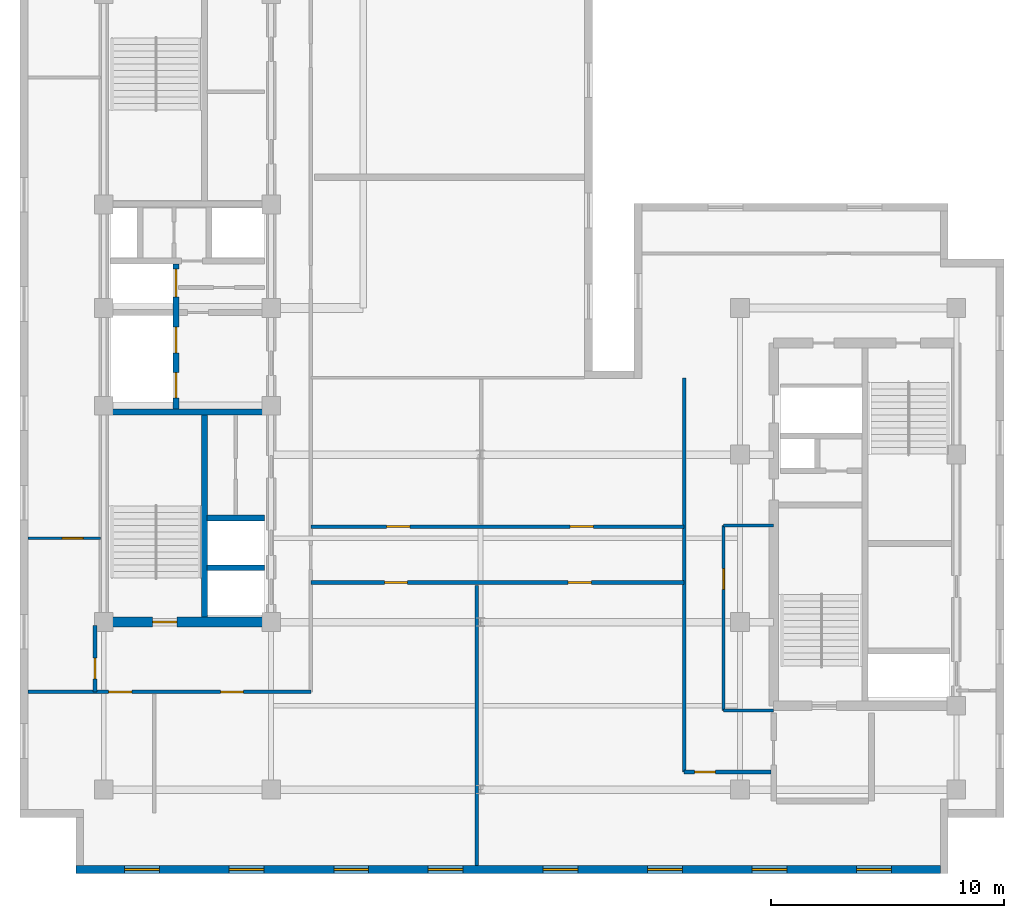
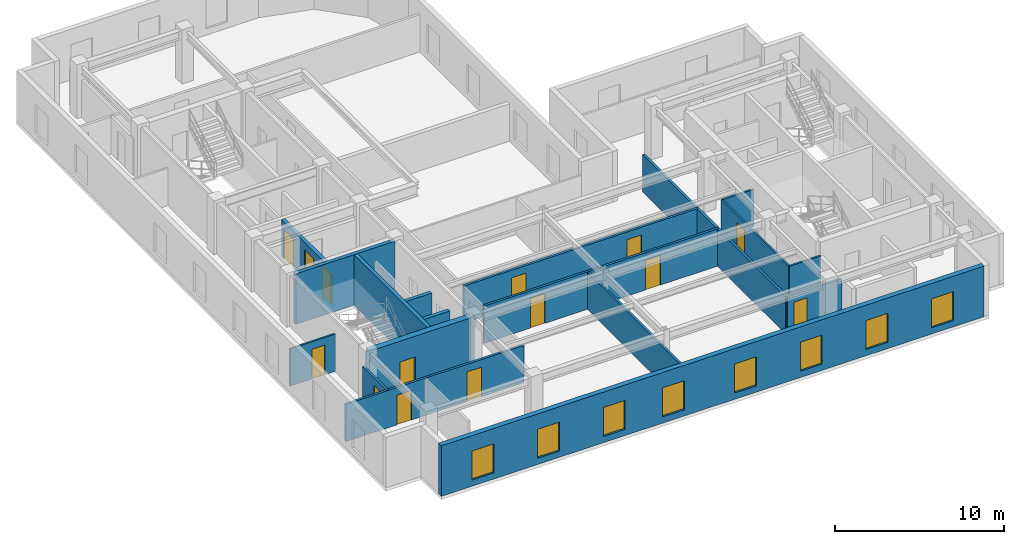
# One storey, part 3 of 9: 18 walls, 14 doors, 8 windows, 22 openings.
"""IFC4 building model written with IfcOpenShell, lengths in metres."""

from ifc_helpers import new_model, entity, si_unit, converted_unit, direction, frame, origin_with_axes, origin_2d_with_axis, place, context, subcontext, project, spatial, polyline, rectangle, outline, extrude, material, layer, layer_set, type_object, element, fill, save


model = new_model("IFC4")

# Units and contexts
model_context = context("Model", 3, precision=1e-05, world=origin_with_axes(), true_north=direction((0.0, 1.0)))
body_context = subcontext(model_context, "Body", "Model", "MODEL_VIEW")
ifc_project = project(units=[si_unit("LENGTHUNIT", "METRE"), si_unit("AREAUNIT", "SQUARE_METRE"), si_unit("VOLUMEUNIT", "CUBIC_METRE"), converted_unit("PLANEANGLEUNIT", "DEGREE", entity("IfcPlaneAngleMeasure", 0.017453292519943295), si_unit("PLANEANGLEUNIT", "RADIAN"), dimensions=[0, 0, 0, 0, 0, 0, 0]), si_unit("MASSUNIT", "GRAM", prefix="KILO"), si_unit("THERMODYNAMICTEMPERATUREUNIT", "KELVIN")], contexts=[model_context])

# Site, building, storey
site_placement = place(None, origin_with_axes())
site = spatial("IfcSite", under=ifc_project, at=site_placement, CompositionType="ELEMENT")
building_placement = place(site_placement, origin_with_axes())
building = spatial("IfcBuilding", under=site, at=building_placement, Name="Varnlund Millrace Tower", CompositionType="ELEMENT")
storey_placement = place(building_placement, frame((0.0, 0.0, 252.9), z_axis=(0.0, 0.0, 1.0), x_axis=(1.0, 0.0, 0.0)))
storey = spatial("IfcBuildingStorey", under=building, at=storey_placement, Name="L62", CompositionType="ELEMENT", Elevation=252.9)

# Wall, opening, door
ifc_material_1 = material(Name="Concrete C60/75", Category="concrete")
ifc_layer_1 = layer(ifc_material_1, 0.42, Name="Concrete C60/75")
ifc_layer_set_1 = layer_set([ifc_layer_1], Name="Concrete C60/75")
wall_type_1 = type_object("IfcWallType", Name="Type-CoreWall-Shear-420-C60", PredefinedType="SHEAR", material=ifc_layer_set_1)
wall_1_placement = place(storey_placement, frame((11.4, 10.8, 0.0), z_axis=(0.0, 0.0, 1.0), x_axis=(1.0, 0.0, 0.0)))
wall_1 = element("IfcWall", 1, at=wall_1_placement, inside=storey, type_object=wall_type_1, Name="Type-CoreWall-Shear-420-C60", PredefinedType="SHEAR", context=body_context, shape_type="SweptSolid", body=[
    extrude(outline(polyline([(0.0, -0.21), (7.2, -0.21), (7.2, 0.21), (0.0, 0.21), (0.0, -0.21)])), origin_with_axes(), (0.0, 0.0, 1.0), 3.66),
])
opening_1_placement = place(wall_1_placement, frame((2.625, 0.0, 0.0), z_axis=(0.0, 0.0, 1.0), x_axis=(1.0, 0.0, 0.0)))
opening_1 = element("IfcOpeningElement", 2, at=opening_1_placement, cuts=wall_1, Name="Opening L62:DR-STA1", PredefinedType="OPENING", context=body_context, shape_type="SweptSolid", body=[
    extrude(rectangle(XDim=1.05, YDim=0.44, at=origin_2d_with_axis()), origin_with_axes(), (0.0, 0.0, 1.0), 2.15),
])
ifc_material_2 = material(Name="Fire-rated hollow steel door", Category="steel")
door_type_1 = type_object("IfcDoorType", Name="Type-FireDoor-Stair-1050X2150", OperationType="NOTDEFINED", PredefinedType="DOOR", material=ifc_material_2)
door_1_placement = place(wall_1_placement, frame((2.625, 0.0, 0.0), z_axis=(0.0, 0.0, 1.0), x_axis=(1.0, 0.0, 0.0)))
door_1 = element("IfcDoor", 3, at=door_1_placement, inside=storey, type_object=door_type_1, Name="Type-FireDoor-Stair-1050X2150", OperationType="SINGLE_SWING_LEFT", OverallHeight=2.15, OverallWidth=1.05, PredefinedType="DOOR", context=body_context, shape_type="SweptSolid", body=[
    extrude(rectangle(XDim=1.05, YDim=0.09, at=origin_2d_with_axis()), origin_with_axes(), (0.0, 0.0, 1.0), 2.15),
])
fill(opening_1, door_1)

# Wall, openings, windows
ifc_material_3 = material(Name="Precast concrete C50/60", Category="concrete")
ifc_layer_2 = layer(ifc_material_3, 0.34, Name="Precast concrete C50/60")
ifc_layer_set_2 = layer_set([ifc_layer_2], Name="Precast concrete C50/60")
wall_type_2 = type_object("IfcWallType", Name="Type-ExtWall-Precast-Upper-340", PredefinedType="SOLIDWALL", material=ifc_layer_set_2)
wall_2_placement = place(storey_placement, frame((47.36, 0.17, 0.0), z_axis=(0.0, 0.0, 1.0), x_axis=(-1.0, 0.0, 0.0)))
wall_2 = element("IfcWall", 4, at=wall_2_placement, inside=storey, type_object=wall_type_2, Name="Type-ExtWall-Precast-Upper-340", PredefinedType="SOLIDWALL", context=body_context, shape_type="SweptSolid", body=[
    extrude(outline(polyline([(0.0, -0.17), (37.16, -0.17), (37.16, 0.17), (0.0, 0.17), (0.0, -0.17)])), origin_with_axes(), (0.0, 0.0, 1.0), 3.66),
])
opening_2_placement = place(wall_2_placement, frame((2.847, 0.0, 0.45), z_axis=(0.0, 0.0, 1.0), x_axis=(1.0, 0.0, 0.0)))
opening_2 = element("IfcOpeningElement", 5, at=opening_2_placement, cuts=wall_2, Name="Opening L62:WN-09", PredefinedType="OPENING", context=body_context, shape_type="SweptSolid", body=[
    extrude(rectangle(XDim=1.5, YDim=0.36, at=origin_2d_with_axis()), origin_with_axes(), (0.0, 0.0, 1.0), 2.1),
])
opening_3_placement = place(wall_2_placement, frame((7.342, 0.0, 0.45), z_axis=(0.0, 0.0, 1.0), x_axis=(1.0, 0.0, 0.0)))
opening_3 = element("IfcOpeningElement", 6, at=opening_3_placement, cuts=wall_2, Name="Opening L62:WN-10", PredefinedType="OPENING", context=body_context, shape_type="SweptSolid", body=[
    extrude(rectangle(XDim=1.5, YDim=0.36, at=origin_2d_with_axis()), origin_with_axes(), (0.0, 0.0, 1.0), 2.1),
])
opening_4_placement = place(wall_2_placement, frame((11.837, 0.0, 0.45), z_axis=(0.0, 0.0, 1.0), x_axis=(1.0, 0.0, 0.0)))
opening_4 = element("IfcOpeningElement", 7, at=opening_4_placement, cuts=wall_2, Name="Opening L62:WN-11", PredefinedType="OPENING", context=body_context, shape_type="SweptSolid", body=[
    extrude(rectangle(XDim=1.5, YDim=0.36, at=origin_2d_with_axis()), origin_with_axes(), (0.0, 0.0, 1.0), 2.1),
])
opening_5_placement = place(wall_2_placement, frame((16.332, 0.0, 0.45), z_axis=(0.0, 0.0, 1.0), x_axis=(1.0, 0.0, 0.0)))
opening_5 = element("IfcOpeningElement", 8, at=opening_5_placement, cuts=wall_2, Name="Opening L62:WN-12", PredefinedType="OPENING", context=body_context, shape_type="SweptSolid", body=[
    extrude(rectangle(XDim=1.5, YDim=0.36, at=origin_2d_with_axis()), origin_with_axes(), (0.0, 0.0, 1.0), 2.1),
])
opening_6_placement = place(wall_2_placement, frame((21.277, 0.0, 0.45), z_axis=(0.0, 0.0, 1.0), x_axis=(1.0, 0.0, 0.0)))
opening_6 = element("IfcOpeningElement", 9, at=opening_6_placement, cuts=wall_2, Name="Opening L62:WN-13", PredefinedType="OPENING", context=body_context, shape_type="SweptSolid", body=[
    extrude(rectangle(XDim=1.5, YDim=0.36, at=origin_2d_with_axis()), origin_with_axes(), (0.0, 0.0, 1.0), 2.1),
])
opening_7_placement = place(wall_2_placement, frame((25.322, 0.0, 0.45), z_axis=(0.0, 0.0, 1.0), x_axis=(1.0, 0.0, 0.0)))
opening_7 = element("IfcOpeningElement", 10, at=opening_7_placement, cuts=wall_2, Name="Opening L62:WN-14", PredefinedType="OPENING", context=body_context, shape_type="SweptSolid", body=[
    extrude(rectangle(XDim=1.5, YDim=0.36, at=origin_2d_with_axis()), origin_with_axes(), (0.0, 0.0, 1.0), 2.1),
])
opening_8_placement = place(wall_2_placement, frame((29.817, 0.0, 0.45), z_axis=(0.0, 0.0, 1.0), x_axis=(1.0, 0.0, 0.0)))
opening_8 = element("IfcOpeningElement", 11, at=opening_8_placement, cuts=wall_2, Name="Opening L62:WN-15", PredefinedType="OPENING", context=body_context, shape_type="SweptSolid", body=[
    extrude(rectangle(XDim=1.5, YDim=0.36, at=origin_2d_with_axis()), origin_with_axes(), (0.0, 0.0, 1.0), 2.1),
])
opening_9_placement = place(wall_2_placement, frame((34.312, 0.0, 0.45), z_axis=(0.0, 0.0, 1.0), x_axis=(1.0, 0.0, 0.0)))
opening_9 = element("IfcOpeningElement", 12, at=opening_9_placement, cuts=wall_2, Name="Opening L62:WN-16", PredefinedType="OPENING", context=body_context, shape_type="SweptSolid", body=[
    extrude(rectangle(XDim=1.5, YDim=0.36, at=origin_2d_with_axis()), origin_with_axes(), (0.0, 0.0, 1.0), 2.1),
])
ifc_material_4 = material(Name="Argon low-e triple glazing in thermally broken bronze frame", Category="glass")
window_type = type_object("IfcWindowType", Name="Type-Window-Punched-1500X2100", PartitioningType="SINGLE_PANEL", PredefinedType="WINDOW", material=ifc_material_4)
window_1_placement = place(wall_2_placement, frame((2.847, 0.0, 0.45), z_axis=(0.0, 0.0, 1.0), x_axis=(1.0, 0.0, 0.0)))
window_1 = element("IfcWindow", 13, at=window_1_placement, inside=storey, type_object=window_type, Name="Type-Window-Punched-1500X2100", OverallHeight=2.1, OverallWidth=1.5, PredefinedType="WINDOW", context=body_context, shape_type="SweptSolid", body=[
    extrude(rectangle(XDim=1.5, YDim=0.09, at=origin_2d_with_axis()), origin_with_axes(), (0.0, 0.0, 1.0), 2.1),
])
fill(opening_2, window_1)
window_2_placement = place(wall_2_placement, frame((7.342, 0.0, 0.45), z_axis=(0.0, 0.0, 1.0), x_axis=(1.0, 0.0, 0.0)))
window_2 = element("IfcWindow", 14, at=window_2_placement, inside=storey, type_object=window_type, Name="Type-Window-Punched-1500X2100", OverallHeight=2.1, OverallWidth=1.5, PredefinedType="WINDOW", context=body_context, shape_type="SweptSolid", body=[
    extrude(rectangle(XDim=1.5, YDim=0.09, at=origin_2d_with_axis()), origin_with_axes(), (0.0, 0.0, 1.0), 2.1),
])
fill(opening_3, window_2)
window_3_placement = place(wall_2_placement, frame((11.837, 0.0, 0.45), z_axis=(0.0, 0.0, 1.0), x_axis=(1.0, 0.0, 0.0)))
window_3 = element("IfcWindow", 15, at=window_3_placement, inside=storey, type_object=window_type, Name="Type-Window-Punched-1500X2100", OverallHeight=2.1, OverallWidth=1.5, PredefinedType="WINDOW", context=body_context, shape_type="SweptSolid", body=[
    extrude(rectangle(XDim=1.5, YDim=0.09, at=origin_2d_with_axis()), origin_with_axes(), (0.0, 0.0, 1.0), 2.1),
])
fill(opening_4, window_3)
window_4_placement = place(wall_2_placement, frame((16.332, 0.0, 0.45), z_axis=(0.0, 0.0, 1.0), x_axis=(1.0, 0.0, 0.0)))
window_4 = element("IfcWindow", 16, at=window_4_placement, inside=storey, type_object=window_type, Name="Type-Window-Punched-1500X2100", OverallHeight=2.1, OverallWidth=1.5, PredefinedType="WINDOW", context=body_context, shape_type="SweptSolid", body=[
    extrude(rectangle(XDim=1.5, YDim=0.09, at=origin_2d_with_axis()), origin_with_axes(), (0.0, 0.0, 1.0), 2.1),
])
fill(opening_5, window_4)
window_5_placement = place(wall_2_placement, frame((21.277, 0.0, 0.45), z_axis=(0.0, 0.0, 1.0), x_axis=(1.0, 0.0, 0.0)))
window_5 = element("IfcWindow", 17, at=window_5_placement, inside=storey, type_object=window_type, Name="Type-Window-Punched-1500X2100", OverallHeight=2.1, OverallWidth=1.5, PredefinedType="WINDOW", context=body_context, shape_type="SweptSolid", body=[
    extrude(rectangle(XDim=1.5, YDim=0.09, at=origin_2d_with_axis()), origin_with_axes(), (0.0, 0.0, 1.0), 2.1),
])
fill(opening_6, window_5)
window_6_placement = place(wall_2_placement, frame((25.322, 0.0, 0.45), z_axis=(0.0, 0.0, 1.0), x_axis=(1.0, 0.0, 0.0)))
window_6 = element("IfcWindow", 18, at=window_6_placement, inside=storey, type_object=window_type, Name="Type-Window-Punched-1500X2100", OverallHeight=2.1, OverallWidth=1.5, PredefinedType="WINDOW", context=body_context, shape_type="SweptSolid", body=[
    extrude(rectangle(XDim=1.5, YDim=0.09, at=origin_2d_with_axis()), origin_with_axes(), (0.0, 0.0, 1.0), 2.1),
])
fill(opening_7, window_6)
window_7_placement = place(wall_2_placement, frame((29.817, 0.0, 0.45), z_axis=(0.0, 0.0, 1.0), x_axis=(1.0, 0.0, 0.0)))
window_7 = element("IfcWindow", 19, at=window_7_placement, inside=storey, type_object=window_type, Name="Type-Window-Punched-1500X2100", OverallHeight=2.1, OverallWidth=1.5, PredefinedType="WINDOW", context=body_context, shape_type="SweptSolid", body=[
    extrude(rectangle(XDim=1.5, YDim=0.09, at=origin_2d_with_axis()), origin_with_axes(), (0.0, 0.0, 1.0), 2.1),
])
fill(opening_8, window_7)
window_8_placement = place(wall_2_placement, frame((34.312, 0.0, 0.45), z_axis=(0.0, 0.0, 1.0), x_axis=(1.0, 0.0, 0.0)))
window_8 = element("IfcWindow", 20, at=window_8_placement, inside=storey, type_object=window_type, Name="Type-Window-Punched-1500X2100", OverallHeight=2.1, OverallWidth=1.5, PredefinedType="WINDOW", context=body_context, shape_type="SweptSolid", body=[
    extrude(rectangle(XDim=1.5, YDim=0.09, at=origin_2d_with_axis()), origin_with_axes(), (0.0, 0.0, 1.0), 2.1),
])
fill(opening_9, window_8)

# Wall, openings, doors
ifc_material_5 = material(Name="Fire-rated gypsum board on cold-formed steel framing", Category="steel")
ifc_layer_3 = layer(ifc_material_5, 0.16, Name="Fire-rated gypsum board on cold-formed steel framing")
ifc_layer_set_3 = layer_set([ifc_layer_3], Name="Fire-rated gypsum board on cold-formed steel framing")
wall_type_3 = type_object("IfcWallType", Name="Type-Partition-Corridor-160", PredefinedType="PARTITIONING", material=ifc_layer_set_3)
wall_3_placement = place(storey_placement, frame((8.135, 7.8, 0.0), z_axis=(0.0, 0.0, 1.0), x_axis=(1.0, 0.0, 0.0)))
wall_3 = element("IfcWall", 21, at=wall_3_placement, inside=storey, type_object=wall_type_3, Name="Type-Partition-Corridor-160", PredefinedType="PARTITIONING", context=body_context, shape_type="SweptSolid", body=[
    extrude(outline(polyline([(0.0, -0.08), (12.165, -0.08), (12.165, 0.08), (0.0, 0.08), (0.0, -0.08)])), origin_with_axes(), (0.0, 0.0, 1.0), 2.7),
])
opening_10_placement = place(wall_3_placement, frame((3.979, 0.0, 0.0), z_axis=(0.0, 0.0, 1.0), x_axis=(1.0, 0.0, 0.0)))
opening_10 = element("IfcOpeningElement", 22, at=opening_10_placement, cuts=wall_3, Name="Opening L62:DR-WAS-01", PredefinedType="OPENING", context=body_context, shape_type="SweptSolid", body=[
    extrude(rectangle(XDim=1.0, YDim=0.18, at=origin_2d_with_axis()), origin_with_axes(), (0.0, 0.0, 1.0), 2.15),
])
opening_11_placement = place(wall_3_placement, frame((8.7785, 0.0, 0.0), z_axis=(0.0, 0.0, 1.0), x_axis=(1.0, 0.0, 0.0)))
opening_11 = element("IfcOpeningElement", 23, at=opening_11_placement, cuts=wall_3, Name="Opening L62:DR-WAS-02", PredefinedType="OPENING", context=body_context, shape_type="SweptSolid", body=[
    extrude(rectangle(XDim=1.0, YDim=0.18, at=origin_2d_with_axis()), origin_with_axes(), (0.0, 0.0, 1.0), 2.15),
])
ifc_material_6 = material(Name="Solid-core white oak and bronze frame door")
door_type_2 = type_object("IfcDoorType", Name="Type-IntDoor-Office-1000X2150", OperationType="NOTDEFINED", PredefinedType="DOOR", material=ifc_material_6)
door_2_placement = place(wall_3_placement, frame((3.979, 0.0, 0.0), z_axis=(0.0, 0.0, 1.0), x_axis=(1.0, 0.0, 0.0)))
door_2 = element("IfcDoor", 24, at=door_2_placement, inside=storey, type_object=door_type_2, Name="Type-IntDoor-Office-1000X2150", OperationType="SINGLE_SWING_LEFT", OverallHeight=2.15, OverallWidth=1.0, PredefinedType="DOOR", context=body_context, shape_type="SweptSolid", body=[
    extrude(rectangle(XDim=1.0, YDim=0.09, at=origin_2d_with_axis()), origin_with_axes(), (0.0, 0.0, 1.0), 2.15),
])
fill(opening_10, door_2)
door_3_placement = place(wall_3_placement, frame((8.7785, 0.0, 0.0), z_axis=(0.0, 0.0, 1.0), x_axis=(1.0, 0.0, 0.0)))
door_3 = element("IfcDoor", 25, at=door_3_placement, inside=storey, type_object=door_type_2, Name="Type-IntDoor-Office-1000X2150", OperationType="SINGLE_SWING_RIGHT", OverallHeight=2.15, OverallWidth=1.0, PredefinedType="DOOR", context=body_context, shape_type="SweptSolid", body=[
    extrude(rectangle(XDim=1.0, YDim=0.09, at=origin_2d_with_axis()), origin_with_axes(), (0.0, 0.0, 1.0), 2.15),
])
fill(opening_11, door_3)

# Wall, opening, door
wall_4_placement = place(storey_placement, frame((11.02, 7.8, 0.0), z_axis=(0.0, 0.0, 1.0), x_axis=(0.0, 1.0, 0.0)))
wall_4 = element("IfcWall", 26, at=wall_4_placement, inside=storey, type_object=wall_type_3, Name="Type-Partition-Corridor-160", PredefinedType="PARTITIONING", context=body_context, shape_type="SweptSolid", body=[
    extrude(outline(polyline([(0.0, -0.08), (2.85, -0.08), (2.85, 0.08), (0.0, 0.08), (0.0, -0.08)])), origin_with_axes(), (0.0, 0.0, 1.0), 2.7),
])
opening_12_placement = place(wall_4_placement, frame((1.0, 0.0, 0.0), z_axis=(0.0, 0.0, 1.0), x_axis=(1.0, 0.0, 0.0)))
opening_12 = element("IfcOpeningElement", 27, at=opening_12_placement, cuts=wall_4, Name="Opening L62:DR-WU-S1", PredefinedType="OPENING", context=body_context, shape_type="SweptSolid", body=[
    extrude(rectangle(XDim=0.9, YDim=0.18, at=origin_2d_with_axis()), origin_with_axes(), (0.0, 0.0, 1.0), 2.15),
])
ifc_material_7 = material(Name="Painted steel riser and closet door", Category="steel")
door_type_3 = type_object("IfcDoorType", Name="Type-IntDoor-Closet-900X2150", OperationType="NOTDEFINED", PredefinedType="DOOR", material=ifc_material_7)
door_4_placement = place(wall_4_placement, frame((1.0, 0.0, 0.0), z_axis=(0.0, 0.0, 1.0), x_axis=(1.0, 0.0, 0.0)))
door_4 = element("IfcDoor", 28, at=door_4_placement, inside=storey, type_object=door_type_3, Name="Type-IntDoor-Closet-900X2150", OperationType="SINGLE_SWING_LEFT", OverallHeight=2.15, OverallWidth=0.9, PredefinedType="DOOR", context=body_context, shape_type="SweptSolid", body=[
    extrude(rectangle(XDim=0.9, YDim=0.09, at=origin_2d_with_axis()), origin_with_axes(), (0.0, 0.0, 1.0), 2.15),
])
fill(opening_12, door_4)

# Wall, openings, doors
wall_5_placement = place(storey_placement, frame((20.3, 12.5, 0.0), z_axis=(0.0, 0.0, 1.0), x_axis=(1.0, 0.0, 0.0)))
wall_5 = element("IfcWall", 29, at=wall_5_placement, inside=storey, type_object=wall_type_3, Name="Type-Partition-Corridor-160", PredefinedType="PARTITIONING", context=body_context, shape_type="SweptSolid", body=[
    extrude(outline(polyline([(0.0, -0.08), (16.05, -0.08), (16.05, 0.08), (0.0, 0.08), (0.0, -0.08)])), origin_with_axes(), (0.0, 0.0, 1.0), 2.7),
])
opening_13_placement = place(wall_5_placement, frame((3.662, 0.0, 0.0), z_axis=(0.0, 0.0, 1.0), x_axis=(1.0, 0.0, 0.0)))
opening_13 = element("IfcOpeningElement", 30, at=opening_13_placement, cuts=wall_5, Name="Opening L62:DR-KNS-01", PredefinedType="OPENING", context=body_context, shape_type="SweptSolid", body=[
    extrude(rectangle(XDim=1.0, YDim=0.18, at=origin_2d_with_axis()), origin_with_axes(), (0.0, 0.0, 1.0), 2.15),
])
opening_14_placement = place(wall_5_placement, frame((11.557, 0.0, 0.0), z_axis=(0.0, 0.0, 1.0), x_axis=(1.0, 0.0, 0.0)))
opening_14 = element("IfcOpeningElement", 31, at=opening_14_placement, cuts=wall_5, Name="Opening L62:DR-KNS-02", PredefinedType="OPENING", context=body_context, shape_type="SweptSolid", body=[
    extrude(rectangle(XDim=1.0, YDim=0.18, at=origin_2d_with_axis()), origin_with_axes(), (0.0, 0.0, 1.0), 2.15),
])
door_5_placement = place(wall_5_placement, frame((3.662, 0.0, 0.0), z_axis=(0.0, 0.0, 1.0), x_axis=(1.0, 0.0, 0.0)))
door_5 = element("IfcDoor", 32, at=door_5_placement, inside=storey, type_object=door_type_2, Name="Type-IntDoor-Office-1000X2150", OperationType="SINGLE_SWING_LEFT", OverallHeight=2.15, OverallWidth=1.0, PredefinedType="DOOR", context=body_context, shape_type="SweptSolid", body=[
    extrude(rectangle(XDim=1.0, YDim=0.09, at=origin_2d_with_axis()), origin_with_axes(), (0.0, 0.0, 1.0), 2.15),
])
fill(opening_13, door_5)
door_6_placement = place(wall_5_placement, frame((11.557, 0.0, 0.0), z_axis=(0.0, 0.0, 1.0), x_axis=(1.0, 0.0, 0.0)))
door_6 = element("IfcDoor", 33, at=door_6_placement, inside=storey, type_object=door_type_2, Name="Type-IntDoor-Office-1000X2150", OperationType="SINGLE_SWING_RIGHT", OverallHeight=2.15, OverallWidth=1.0, PredefinedType="DOOR", context=body_context, shape_type="SweptSolid", body=[
    extrude(rectangle(XDim=1.0, YDim=0.09, at=origin_2d_with_axis()), origin_with_axes(), (0.0, 0.0, 1.0), 2.15),
])
fill(opening_14, door_6)

wall_6_placement = place(storey_placement, frame((20.3, 14.9, 0.0), z_axis=(0.0, 0.0, 1.0), x_axis=(1.0, 0.0, 0.0)))
wall_6 = element("IfcWall", 34, at=wall_6_placement, inside=storey, type_object=wall_type_3, Name="Type-Partition-Corridor-160", PredefinedType="PARTITIONING", context=body_context, shape_type="SweptSolid", body=[
    extrude(outline(polyline([(0.0, -0.08), (16.05, -0.08), (16.05, 0.08), (0.0, 0.08), (0.0, -0.08)])), origin_with_axes(), (0.0, 0.0, 1.0), 2.7),
])
opening_15_placement = place(wall_6_placement, frame((3.759, 0.0, 0.0), z_axis=(0.0, 0.0, 1.0), x_axis=(1.0, 0.0, 0.0)))
opening_15 = element("IfcOpeningElement", 35, at=opening_15_placement, cuts=wall_6, Name="Opening L62:DR-KN-01", PredefinedType="OPENING", context=body_context, shape_type="SweptSolid", body=[
    extrude(rectangle(XDim=1.0, YDim=0.18, at=origin_2d_with_axis()), origin_with_axes(), (0.0, 0.0, 1.0), 2.15),
])
opening_16_placement = place(wall_6_placement, frame((11.654, 0.0, 0.0), z_axis=(0.0, 0.0, 1.0), x_axis=(1.0, 0.0, 0.0)))
opening_16 = element("IfcOpeningElement", 36, at=opening_16_placement, cuts=wall_6, Name="Opening L62:DR-KN-02", PredefinedType="OPENING", context=body_context, shape_type="SweptSolid", body=[
    extrude(rectangle(XDim=1.0, YDim=0.18, at=origin_2d_with_axis()), origin_with_axes(), (0.0, 0.0, 1.0), 2.15),
])
door_7_placement = place(wall_6_placement, frame((3.759, 0.0, 0.0), z_axis=(0.0, 0.0, 1.0), x_axis=(1.0, 0.0, 0.0)))
door_7 = element("IfcDoor", 37, at=door_7_placement, inside=storey, type_object=door_type_2, Name="Type-IntDoor-Office-1000X2150", OperationType="SINGLE_SWING_LEFT", OverallHeight=2.15, OverallWidth=1.0, PredefinedType="DOOR", context=body_context, shape_type="SweptSolid", body=[
    extrude(rectangle(XDim=1.0, YDim=0.09, at=origin_2d_with_axis()), origin_with_axes(), (0.0, 0.0, 1.0), 2.15),
])
fill(opening_15, door_7)
door_8_placement = place(wall_6_placement, frame((11.654, 0.0, 0.0), z_axis=(0.0, 0.0, 1.0), x_axis=(1.0, 0.0, 0.0)))
door_8 = element("IfcDoor", 38, at=door_8_placement, inside=storey, type_object=door_type_2, Name="Type-IntDoor-Office-1000X2150", OperationType="SINGLE_SWING_RIGHT", OverallHeight=2.15, OverallWidth=1.0, PredefinedType="DOOR", context=body_context, shape_type="SweptSolid", body=[
    extrude(rectangle(XDim=1.0, YDim=0.09, at=origin_2d_with_axis()), origin_with_axes(), (0.0, 0.0, 1.0), 2.15),
])
fill(opening_16, door_8)

# Wall
wall_7_placement = place(storey_placement, frame((36.35, 4.35, 0.0), z_axis=(0.0, 0.0, 1.0), x_axis=(0.0, 1.0, 0.0)))
element("IfcWall", 39, at=wall_7_placement, inside=storey, type_object=wall_type_3, Name="Type-Partition-Corridor-160", PredefinedType="PARTITIONING", context=body_context, shape_type="SweptSolid", body=[
    extrude(outline(polyline([(0.0, -0.08), (16.95, -0.08), (16.95, 0.08), (0.0, 0.08), (0.0, -0.08)])), origin_with_axes(), (0.0, 0.0, 1.0), 2.7),
])

# Wall, opening, door
wall_8_placement = place(storey_placement, frame((36.35, 4.35, 0.0), z_axis=(0.0, 0.0, 1.0), x_axis=(1.0, 0.0, 0.0)))
wall_8 = element("IfcWall", 40, at=wall_8_placement, inside=storey, type_object=wall_type_3, Name="Type-Partition-Corridor-160", PredefinedType="PARTITIONING", context=body_context, shape_type="SweptSolid", body=[
    extrude(outline(polyline([(0.0, -0.08), (3.725, -0.08), (3.725, 0.08), (0.0, 0.08), (0.0, -0.08)])), origin_with_axes(), (0.0, 0.0, 1.0), 2.7),
])
opening_17_placement = place(wall_8_placement, frame((0.9, 0.0, 0.0), z_axis=(0.0, 0.0, 1.0), x_axis=(1.0, 0.0, 0.0)))
opening_17 = element("IfcOpeningElement", 41, at=opening_17_placement, cuts=wall_8, Name="Opening L62:DR-Z4-KNS", PredefinedType="OPENING", context=body_context, shape_type="SweptSolid", body=[
    extrude(rectangle(XDim=0.9, YDim=0.18, at=origin_2d_with_axis()), origin_with_axes(), (0.0, 0.0, 1.0), 2.15),
])
door_9_placement = place(wall_8_placement, frame((0.9, 0.0, 0.0), z_axis=(0.0, 0.0, 1.0), x_axis=(1.0, 0.0, 0.0)))
door_9 = element("IfcDoor", 42, at=door_9_placement, inside=storey, type_object=door_type_3, Name="Type-IntDoor-Closet-900X2150", OperationType="SINGLE_SWING_LEFT", OverallHeight=2.15, OverallWidth=0.9, PredefinedType="DOOR", context=body_context, shape_type="SweptSolid", body=[
    extrude(rectangle(XDim=0.9, YDim=0.09, at=origin_2d_with_axis()), origin_with_axes(), (0.0, 0.0, 1.0), 2.15),
])
fill(opening_17, door_9)

# Wall
ifc_material_8 = material(Name="Acoustic STC-50 gypsum board partition", Category="gypsum")
ifc_layer_4 = layer(ifc_material_8, 0.15, Name="Acoustic STC-50 gypsum board partition")
ifc_layer_set_4 = layer_set([ifc_layer_4], Name="Acoustic STC-50 gypsum board partition")
wall_type_4 = type_object("IfcWallType", Name="Type-Partition-Demising-150", PredefinedType="PARTITIONING", material=ifc_layer_set_4)
wall_9_placement = place(storey_placement, frame((27.444, 0.335, 0.0), z_axis=(0.0, 0.0, 1.0), x_axis=(0.0, 1.0, 0.0)))
element("IfcWall", 43, at=wall_9_placement, inside=storey, type_object=wall_type_4, Name="Type-Partition-Demising-150", PredefinedType="PARTITIONING", context=body_context, shape_type="SweptSolid", body=[
    extrude(outline(polyline([(0.0, -0.075), (12.045, -0.075), (12.045, 0.075), (0.0, 0.075), (0.0, -0.075)])), origin_with_axes(), (0.0, 0.0, 1.0), 2.7),
])

# Wall, opening, door
ifc_material_9 = material(Name="Gypsum board tenant partition", Category="gypsum")
ifc_layer_5 = layer(ifc_material_9, 0.125, Name="Gypsum board tenant partition")
ifc_layer_set_5 = layer_set([ifc_layer_5], Name="Gypsum board tenant partition")
wall_type_5 = type_object("IfcWallType", Name="Type-Partition-Tenant-125", PredefinedType="PARTITIONING", material=ifc_layer_set_5)
wall_10_placement = place(storey_placement, frame((8.135, 14.4, 0.0), z_axis=(0.0, 0.0, 1.0), x_axis=(1.0, 0.0, 0.0)))
wall_10 = element("IfcWall", 44, at=wall_10_placement, inside=storey, type_object=wall_type_5, Name="Type-Partition-Tenant-125", PredefinedType="PARTITIONING", context=body_context, shape_type="SweptSolid", body=[
    extrude(outline(polyline([(0.0, -0.0625), (3.135, -0.0625), (3.135, 0.0625), (0.0, 0.0625), (0.0, -0.0625)])), origin_with_axes(), (0.0, 0.0, 1.0), 2.7),
])
opening_18_placement = place(wall_10_placement, frame((1.925, 0.0, 0.0), z_axis=(0.0, 0.0, 1.0), x_axis=(1.0, 0.0, 0.0)))
opening_18 = element("IfcOpeningElement", 45, at=opening_18_placement, cuts=wall_10, Name="Opening L62:DR-WU-M1", PredefinedType="OPENING", context=body_context, shape_type="SweptSolid", body=[
    extrude(rectangle(XDim=0.9, YDim=0.145, at=origin_2d_with_axis()), origin_with_axes(), (0.0, 0.0, 1.0), 2.15),
])
door_10_placement = place(wall_10_placement, frame((1.925, 0.0, 0.0), z_axis=(0.0, 0.0, 1.0), x_axis=(1.0, 0.0, 0.0)))
door_10 = element("IfcDoor", 46, at=door_10_placement, inside=storey, type_object=door_type_3, Name="Type-IntDoor-Closet-900X2150", OperationType="SINGLE_SWING_LEFT", OverallHeight=2.15, OverallWidth=0.9, PredefinedType="DOOR", context=body_context, shape_type="SweptSolid", body=[
    extrude(rectangle(XDim=0.9, YDim=0.075, at=origin_2d_with_axis()), origin_with_axes(), (0.0, 0.0, 1.0), 2.15),
])
fill(opening_18, door_10)

# Walls
for number, where, z_axis, x_axis, name in (
    (47, (38.05, 7.0, 0.0), (0.0, 0.0, 1.0), (1.0, 0.0, 0.0), "Type-Partition-Tenant-125"),
    (48, (38.05, 14.95, 0.0), (0.0, 0.0, 1.0), (1.0, 0.0, 0.0), "Type-Partition-Tenant-125"),
):
    element("IfcWall", number, at=place(storey_placement, frame(where, z_axis=z_axis, x_axis=x_axis)), inside=storey, type_object=wall_type_5, Name=name, PredefinedType="PARTITIONING", context=body_context, shape_type="SweptSolid", body=[
        extrude(outline(polyline([(0.0, -0.0625), (2.15, -0.0625), (2.15, 0.0625), (0.0, 0.0625), (0.0, -0.0625)])), origin_with_axes(), (0.0, 0.0, 1.0), 2.7),
    ])

# Wall, opening, door
wall_11_placement = place(storey_placement, frame((38.05, 7.0, 0.0), z_axis=(0.0, 0.0, 1.0), x_axis=(0.0, 1.0, 0.0)))
wall_11 = element("IfcWall", 49, at=wall_11_placement, inside=storey, type_object=wall_type_5, Name="Type-Partition-Tenant-125", PredefinedType="PARTITIONING", context=body_context, shape_type="SweptSolid", body=[
    extrude(outline(polyline([(0.0, -0.0625), (7.95, -0.0625), (7.95, 0.0625), (0.0, 0.0625), (0.0, -0.0625)])), origin_with_axes(), (0.0, 0.0, 1.0), 2.7),
])
opening_19_placement = place(wall_11_placement, frame((5.65, 0.0, 0.0), z_axis=(0.0, 0.0, 1.0), x_axis=(1.0, 0.0, 0.0)))
opening_19 = element("IfcOpeningElement", 50, at=opening_19_placement, cuts=wall_11, Name="Opening L62:DR-Z4-KMID", PredefinedType="OPENING", context=body_context, shape_type="SweptSolid", body=[
    extrude(rectangle(XDim=0.9, YDim=0.145, at=origin_2d_with_axis()), origin_with_axes(), (0.0, 0.0, 1.0), 2.15),
])
door_11_placement = place(wall_11_placement, frame((5.65, 0.0, 0.0), z_axis=(0.0, 0.0, 1.0), x_axis=(1.0, 0.0, 0.0)))
door_11 = element("IfcDoor", 51, at=door_11_placement, inside=storey, type_object=door_type_3, Name="Type-IntDoor-Closet-900X2150", OperationType="SINGLE_SWING_LEFT", OverallHeight=2.15, OverallWidth=0.9, PredefinedType="DOOR", context=body_context, shape_type="SweptSolid", body=[
    extrude(rectangle(XDim=0.9, YDim=0.075, at=origin_2d_with_axis()), origin_with_axes(), (0.0, 0.0, 1.0), 2.15),
])
fill(opening_19, door_11)

# Wall, openings, doors
ifc_layer_6 = layer(ifc_material_1, 0.25, Name="Concrete C60/75")
ifc_layer_set_6 = layer_set([ifc_layer_6], Name="Concrete C60/75")
wall_type_6 = type_object("IfcWallType", Name="Type-ShaftWall-Fire-250", PredefinedType="SOLIDWALL", material=ifc_layer_set_6)
wall_12_placement = place(storey_placement, frame((14.5, 19.95, 0.0), z_axis=(0.0, 0.0, 1.0), x_axis=(0.0, 1.0, 0.0)))
wall_12 = element("IfcWall", 52, at=wall_12_placement, inside=storey, type_object=wall_type_6, Name="Type-ShaftWall-Fire-250", PredefinedType="SOLIDWALL", context=body_context, shape_type="SweptSolid", body=[
    extrude(outline(polyline([(0.0, -0.125), (6.25, -0.125), (6.25, 0.125), (0.0, 0.125), (0.0, -0.125)])), origin_with_axes(), (0.0, 0.0, 1.0), 2.7),
])
opening_20_placement = place(wall_12_placement, frame((1.025, 0.0, 0.0), z_axis=(0.0, 0.0, 1.0), x_axis=(1.0, 0.0, 0.0)))
opening_20 = element("IfcOpeningElement", 53, at=opening_20_placement, cuts=wall_12, Name="Opening L62:LD-FSAE1", PredefinedType="OPENING", context=body_context, shape_type="SweptSolid", body=[
    extrude(rectangle(XDim=1.1, YDim=0.27, at=origin_2d_with_axis()), origin_with_axes(), (0.0, 0.0, 1.0), 2.15),
])
opening_21_placement = place(wall_12_placement, frame((2.975, 0.0, 0.0), z_axis=(0.0, 0.0, 1.0), x_axis=(1.0, 0.0, 0.0)))
opening_21 = element("IfcOpeningElement", 54, at=opening_21_placement, cuts=wall_12, Name="Opening L62:LD-FSAE2", PredefinedType="OPENING", context=body_context, shape_type="SweptSolid", body=[
    extrude(rectangle(XDim=1.1, YDim=0.27, at=origin_2d_with_axis()), origin_with_axes(), (0.0, 0.0, 1.0), 2.15),
])
opening_22_placement = place(wall_12_placement, frame((5.425, 0.0, 0.0), z_axis=(0.0, 0.0, 1.0), x_axis=(1.0, 0.0, 0.0)))
opening_22 = element("IfcOpeningElement", 55, at=opening_22_placement, cuts=wall_12, Name="Opening L62:LD-SRV1", PredefinedType="OPENING", context=body_context, shape_type="SweptSolid", body=[
    extrude(rectangle(XDim=1.2, YDim=0.27, at=origin_2d_with_axis()), origin_with_axes(), (0.0, 0.0, 1.0), 2.15),
])
ifc_material_10 = material(Name="Stainless and architectural bronze sliding landing door")
door_type_4 = type_object("IfcDoorType", Name="Type-LiftLandingDoor-1100X2150", OperationType="NOTDEFINED", PredefinedType="DOOR", material=ifc_material_10)
door_12_placement = place(wall_12_placement, frame((1.025, 0.0, 0.0), z_axis=(0.0, 0.0, 1.0), x_axis=(1.0, 0.0, 0.0)))
door_12 = element("IfcDoor", 56, at=door_12_placement, inside=storey, type_object=door_type_4, Name="Type-LiftLandingDoor-1100X2150", OperationType="SLIDING_TO_LEFT", OverallHeight=2.15, OverallWidth=1.1, PredefinedType="DOOR", context=body_context, shape_type="SweptSolid", body=[
    extrude(rectangle(XDim=1.1, YDim=0.09, at=origin_2d_with_axis()), origin_with_axes(), (0.0, 0.0, 1.0), 2.15),
])
fill(opening_20, door_12)
door_13_placement = place(wall_12_placement, frame((2.975, 0.0, 0.0), z_axis=(0.0, 0.0, 1.0), x_axis=(1.0, 0.0, 0.0)))
door_13 = element("IfcDoor", 57, at=door_13_placement, inside=storey, type_object=door_type_4, Name="Type-LiftLandingDoor-1100X2150", OperationType="SLIDING_TO_RIGHT", OverallHeight=2.15, OverallWidth=1.1, PredefinedType="DOOR", context=body_context, shape_type="SweptSolid", body=[
    extrude(rectangle(XDim=1.1, YDim=0.09, at=origin_2d_with_axis()), origin_with_axes(), (0.0, 0.0, 1.0), 2.15),
])
fill(opening_21, door_13)
ifc_material_11 = material(Name="Heavy-duty freight sliding landing door")
door_type_5 = type_object("IfcDoorType", Name="Type-LiftLandingDoor-Service-1200X2150", OperationType="NOTDEFINED", PredefinedType="DOOR", material=ifc_material_11)
door_14_placement = place(wall_12_placement, frame((5.425, 0.0, 0.0), z_axis=(0.0, 0.0, 1.0), x_axis=(1.0, 0.0, 0.0)))
door_14 = element("IfcDoor", 58, at=door_14_placement, inside=storey, type_object=door_type_5, Name="Type-LiftLandingDoor-Service-1200X2150", OperationType="DOUBLE_DOOR_SLIDING", OverallHeight=2.15, OverallWidth=1.2, PredefinedType="DOOR", context=body_context, shape_type="SweptSolid", body=[
    extrude(rectangle(XDim=1.2, YDim=0.09, at=origin_2d_with_axis()), origin_with_axes(), (0.0, 0.0, 1.0), 2.15),
])
fill(opening_22, door_14)

# Walls
for number, where, z_axis, x_axis, name in (
    (59, (15.84, 13.13, 0.0), (0.0, 0.0, 1.0), (1.0, 0.0, 0.0), "Type-ShaftWall-Fire-250"),
    (60, (15.84, 15.27, 0.0), (0.0, 0.0, 1.0), (1.0, 0.0, 0.0), "Type-ShaftWall-Fire-250"),
):
    element("IfcWall", number, at=place(storey_placement, frame(where, z_axis=z_axis, x_axis=x_axis)), inside=storey, type_object=wall_type_6, Name=name, PredefinedType="SOLIDWALL", context=body_context, shape_type="SweptSolid", body=[
        extrude(outline(polyline([(0.0, -0.125), (2.46, -0.125), (2.46, 0.125), (0.0, 0.125), (0.0, -0.125)])), origin_with_axes(), (0.0, 0.0, 1.0), 2.7),
    ])
wall_type_7 = type_object("IfcWallType", Name="Type-StairWall-Shear-250", PredefinedType="SHEAR", material=ifc_layer_set_6)
wall_13_placement = place(storey_placement, frame((15.725, 11.01, 0.0), z_axis=(0.0, 0.0, 1.0), x_axis=(0.0, 1.0, 0.0)))
element("IfcWall", 61, at=wall_13_placement, inside=storey, type_object=wall_type_7, Name="Type-StairWall-Shear-250", PredefinedType="SHEAR", context=body_context, shape_type="SweptSolid", body=[
    extrude(outline(polyline([(0.0, -0.125), (8.69, -0.125), (8.69, 0.125), (0.0, 0.125), (0.0, -0.125)])), origin_with_axes(), (0.0, 0.0, 1.0), 3.66),
])
wall_14_placement = place(storey_placement, frame((11.61, 19.825, 0.0), z_axis=(0.0, 0.0, 1.0), x_axis=(1.0, 0.0, 0.0)))
element("IfcWall", 62, at=wall_14_placement, inside=storey, type_object=wall_type_7, Name="Type-StairWall-Shear-250", PredefinedType="SHEAR", context=body_context, shape_type="SweptSolid", body=[
    extrude(outline(polyline([(0.0, -0.125), (6.78, -0.125), (6.78, 0.125), (0.0, 0.125), (0.0, -0.125)])), origin_with_axes(), (0.0, 0.0, 1.0), 3.66),
])

save(model, "model.ifc")
